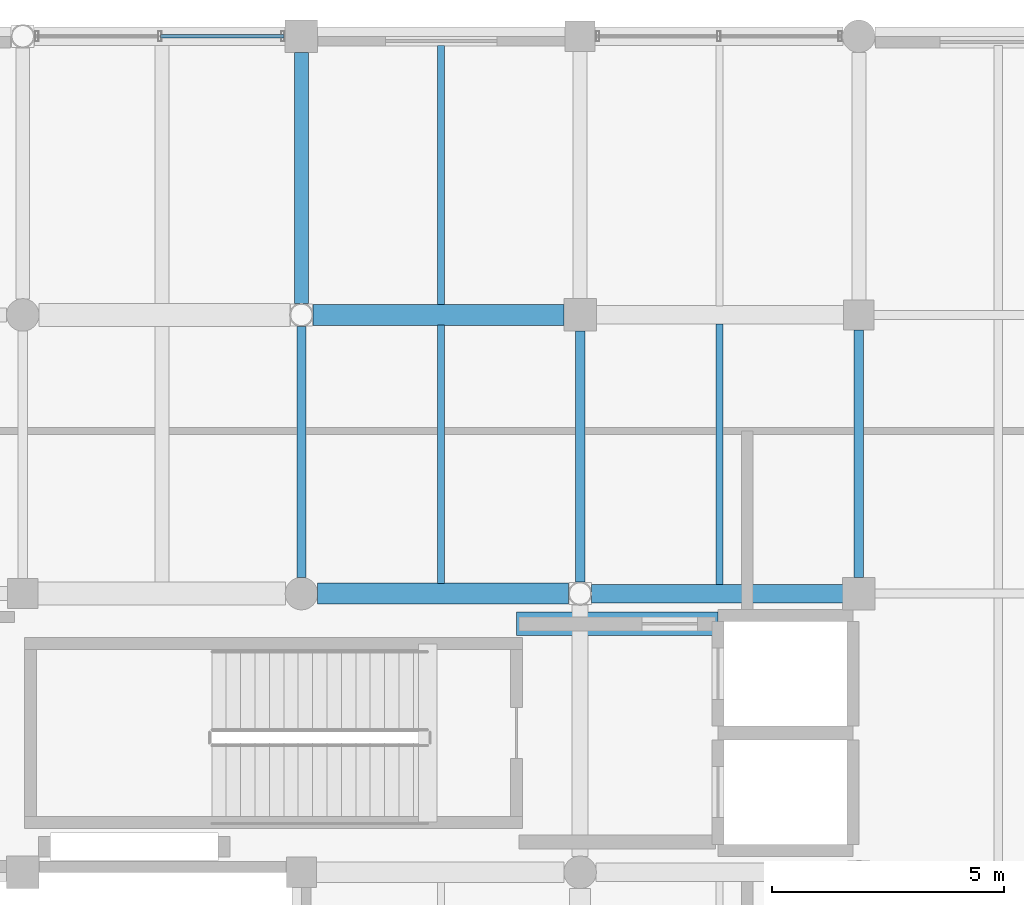
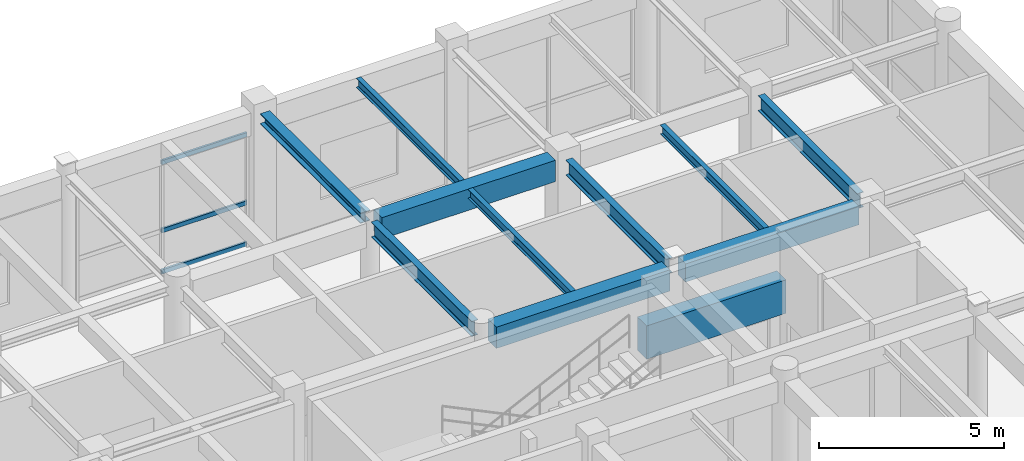
# One storey, part 84 of 123: 11 beams, 3 members, 1 element without a shape of its own.
"""IFC4 building model written with IfcOpenShell, lengths in metres."""

from ifc_helpers import new_model, si_unit, direction, frame, origin, origin_2d, place, context, subcontext, project, spatial, rectangle, hollow_rectangle, i_section, extrude, material, material_profile, profile_set, type_object, element, aggregate, save


model = new_model("IFC4")

# Units and contexts
model_context = context("Model", 3, precision=1e-05, world=origin(), true_north=direction((0.0, 1.0)))
body_context = subcontext(model_context, "Body", "Model", "MODEL_VIEW")
ifc_project = project(units=[si_unit("LENGTHUNIT", "METRE"), si_unit("AREAUNIT", "SQUARE_METRE"), si_unit("VOLUMEUNIT", "CUBIC_METRE"), si_unit("PLANEANGLEUNIT", "RADIAN"), si_unit("MASSUNIT", "GRAM", prefix="KILO"), si_unit("THERMODYNAMICTEMPERATUREUNIT", "KELVIN"), si_unit("POWERUNIT", "WATT")], contexts=[model_context])

# Site, building, storey
site_placement = place(None, origin())
site = spatial("IfcSite", under=ifc_project, at=site_placement, CompositionType="ELEMENT")
building_placement = place(site_placement, origin())
building = spatial("IfcBuilding", under=site, at=building_placement, Name="Phaisarnlok Congress Hotel", CompositionType="ELEMENT")
storey_placement = place(building_placement, frame((0.0, 0.0, 15.0)))
storey = spatial("IfcBuildingStorey", under=building, at=storey_placement, Name="L03", CompositionType="ELEMENT", Elevation=15.0)

# Beams
ifc_material_1 = material(Name="Concrete C40/50", Category="concrete")
ifc_material_profile_1 = material_profile(ifc_material_1, rectangle(XDim=0.39990234375, YDim=0.60009765625, at=origin_2d()), Name="RC 400x600")
ifc_profile_set_1 = profile_set([ifc_material_profile_1], Name="Concrete C40/50")
beam_type_1 = type_object("IfcBeamType", Name="BM-RC-400x600", PredefinedType="BEAM", material=ifc_profile_set_1)
beam_1_placement = place(storey_placement, frame((168.2490234375, 114.0, 4.14990234375), z_axis=(1.0, 0.0, 0.0), x_axis=(0.0, 1.0, 0.0)))
element("IfcBeam", 1, at=beam_1_placement, inside=storey, type_object=beam_type_1, Name="Beam B-02", PredefinedType="BEAM", context=body_context, shape_type="SweptSolid", body=[
    extrude(rectangle(XDim=0.39990234375, YDim=0.60009765625, at=origin_2d()), origin(), (0.0, 0.0, 1.0), 5.406005859375),
])
ifc_material_profile_2 = material_profile(ifc_material_1, rectangle(XDim=0.449951171875, YDim=0.699951171875, at=origin_2d()), Name="RC 450x700")
ifc_profile_set_2 = profile_set([ifc_material_profile_2], Name="Concrete C40/50")
beam_type_2 = type_object("IfcBeamType", Name="BM-RC-450x700", PredefinedType="BEAM", material=ifc_profile_set_2)
for number, where, z_axis, x_axis, name in (
    (2, (162.344970703125, 114.0, 4.10009765625), (1.0, 0.0, 0.0), (0.0, 1.0, 0.0), "Beam B-03"),
    (3, (162.2490234375, 120.0, 4.10009765625), (1.0, 0.0, 0.0), (0.0, 1.0, 0.0), "Beam B-03"),
):
    element("IfcBeam", number, at=place(storey_placement, frame(where, z_axis=z_axis, x_axis=x_axis)), inside=storey, type_object=beam_type_2, Name=name, PredefinedType="BEAM", context=body_context, shape_type="SweptSolid", body=[
        extrude(rectangle(XDim=0.449951171875, YDim=0.699951171875, at=origin_2d()), origin(), (0.0, 0.0, 1.0), 5.406005859375),
    ])
ifc_material_2 = material(Name="Steel S355", Category="steel")
ifc_material_profile_3 = material_profile(ifc_material_2, i_section(OverallWidth=0.300048828125, OverallDepth=0.340087890625, WebThickness=0.011962890625, FlangeThickness=0.021484375, FilletRadius=0.027099609375, at=origin_2d()), Name="HEB 340")
ifc_profile_set_3 = profile_set([ifc_material_profile_3], Name="Steel S355")
beam_type_3 = type_object("IfcBeamType", Name="BM-STL-HEB340", PredefinedType="BEAM", material=ifc_profile_set_3)
beam_2_placement = place(storey_placement, frame((162.0, 120.2490234375, 4.280029296875), z_axis=(0.0, 1.0, 0.0), x_axis=(-1.0, 0.0, 0.0)))
element("IfcBeam", 4, at=beam_2_placement, inside=storey, type_object=beam_type_3, Name="Beam SB-07", PredefinedType="BEAM", context=body_context, shape_type="SweptSolid", body=[
    extrude(i_section(OverallWidth=0.300048828125, OverallDepth=0.340087890625, WebThickness=0.011962890625, FlangeThickness=0.021484375, FilletRadius=0.027099609375, at=origin_2d()), origin(), (0.0, 0.0, 1.0), 5.406005859375),
])
ifc_material_profile_4 = material_profile(ifc_material_2, i_section(OverallWidth=0.199951171875, OverallDepth=0.5, WebThickness=0.01025390625, FlangeThickness=0.01611328125, FilletRadius=0.02099609375, at=origin_2d()), Name="IPE 500")
ifc_profile_set_4 = profile_set([ifc_material_profile_4], Name="Steel S355")
beam_type_4 = type_object("IfcBeamType", Name="BM-STL-IPE500", PredefinedType="BEAM", material=ifc_profile_set_4)
for number, where, z_axis, x_axis, name in (
    (5, (162.0, 114.344970703125, 4.199951171875), (0.0, 1.0, 0.0), (-1.0, 0.0, 0.0), "Beam SB-02"),
    (6, (168.0, 114.2490234375, 4.199951171875), (0.0, 1.0, 0.0), (-1.0, 0.0, 0.0), "Beam SB-02"),
):
    element("IfcBeam", number, at=place(storey_placement, frame(where, z_axis=z_axis, x_axis=x_axis)), inside=storey, type_object=beam_type_4, Name=name, PredefinedType="BEAM", context=body_context, shape_type="SweptSolid", body=[
        extrude(i_section(OverallWidth=0.199951171875, OverallDepth=0.5, WebThickness=0.01025390625, FlangeThickness=0.01611328125, FilletRadius=0.02099609375, at=origin_2d()), origin(), (0.0, 0.0, 1.0), 5.406005859375),
    ])
beam_3_placement = place(storey_placement, frame((174.0, 114.344970703125, 4.199951171875), z_axis=(0.0, 1.0, 0.0), x_axis=(-1.0, 0.0, 0.0)))
element("IfcBeam", 7, at=beam_3_placement, inside=storey, type_object=beam_type_4, Name="Beam SB-02", PredefinedType="BEAM", context=body_context, shape_type="SweptSolid", body=[
    extrude(i_section(OverallWidth=0.199951171875, OverallDepth=0.5, WebThickness=0.01025390625, FlangeThickness=0.01611328125, FilletRadius=0.02099609375, at=origin_2d()), origin(), (0.0, 0.0, 1.0), 5.3349609375),
])

# Curtain wall, members
ifc_material_3 = material(Name="Thermally Broken Unitised Aluminium & Low-E Glazing", Category="aluminium")
curtain_wall_type = type_object("IfcCurtainWallType", Name="CW-UNIT-31", PredefinedType="NOTDEFINED", material=ifc_material_3)
curtain_wall_placement = place(storey_placement, origin())
curtain_wall = element("IfcCurtainWall", 8, at=curtain_wall_placement, inside=storey, type_object=curtain_wall_type, Name="Unitised curtain wall CW-31 (L03)", PredefinedType="NOTDEFINED")
ifc_material_4 = material(Name="Anodised Aluminium Alloy 6063-T6", Category="aluminium")
ifc_material_profile_5 = material_profile(ifc_material_4, hollow_rectangle(XDim=0.06494140625, YDim=0.139892578125, WallThickness=0.00390625, at=origin_2d()), Name="ALU-T 65x140x4")
ifc_profile_set_5 = profile_set([ifc_material_profile_5], Name="Anodised Aluminium Alloy 6063-T6")
member_type = type_object("IfcMemberType", Name="CWT-150", PredefinedType="USERDEFINED", material=ifc_profile_set_5)
member_1_placement = place(storey_placement, frame((161.625, 126.0, 0.050048828125), z_axis=(-1.0, 0.0, 0.0), x_axis=(0.0, -1.0, 0.0)))
member_1 = element("IfcMember", 9, at=member_1_placement, type_object=member_type, Name="Curtain wall transom CWT-01", ObjectType="TRANSOM", PredefinedType="USERDEFINED", context=body_context, shape_type="SweptSolid", body=[
    extrude(hollow_rectangle(XDim=0.06494140625, YDim=0.139892578125, WallThickness=0.00390625, at=origin_2d()), origin(), (0.0, 0.0, 1.0), 2.657958984375),
])
member_2_placement = place(storey_placement, frame((161.625, 126.0, 1.406005859375), z_axis=(-1.0, 0.0, 0.0), x_axis=(0.0, -1.0, 0.0)))
member_2 = element("IfcMember", 10, at=member_2_placement, type_object=member_type, Name="Curtain wall transom CWT-01", ObjectType="TRANSOM", PredefinedType="USERDEFINED", context=body_context, shape_type="SweptSolid", body=[
    extrude(hollow_rectangle(XDim=0.06494140625, YDim=0.139892578125, WallThickness=0.00390625, at=origin_2d()), origin(), (0.0, 0.0, 1.0), 2.657958984375),
])
member_3_placement = place(storey_placement, frame((161.625, 126.0, 3.64990234375), z_axis=(-1.0, 0.0, 0.0), x_axis=(0.0, -1.0, 0.0)))
member_3 = element("IfcMember", 11, at=member_3_placement, type_object=member_type, Name="Curtain wall transom CWT-01", ObjectType="TRANSOM", PredefinedType="USERDEFINED", context=body_context, shape_type="SweptSolid", body=[
    extrude(hollow_rectangle(XDim=0.06494140625, YDim=0.139892578125, WallThickness=0.00390625, at=origin_2d()), origin(), (0.0, 0.0, 1.0), 2.657958984375),
])
aggregate(curtain_wall, [member_1, member_2, member_3])

# Beams
ifc_material_profile_6 = material_profile(ifc_material_2, i_section(OverallWidth=0.14990234375, OverallDepth=0.300048828125, WebThickness=0.007080078125, FlangeThickness=0.0107421875, FilletRadius=0.014892578125, at=origin_2d()), Name="IPE 300")
ifc_profile_set_6 = profile_set([ifc_material_profile_6], Name="Steel S355")
beam_type_5 = type_object("IfcBeamType", Name="JS-STL-IPE300", PredefinedType="JOIST", material=ifc_profile_set_6)
beam_4_placement = place(storey_placement, frame((165.0, 114.219970703125, 4.300048828125), z_axis=(0.0, 1.0, 0.0), x_axis=(-1.0, 0.0, 0.0)))
element("IfcBeam", 12, at=beam_4_placement, inside=storey, type_object=beam_type_5, Name="Secondary floor joist J-03", PredefinedType="JOIST", context=body_context, shape_type="SweptSolid", body=[
    extrude(i_section(OverallWidth=0.14990234375, OverallDepth=0.300048828125, WebThickness=0.007080078125, FlangeThickness=0.0107421875, FilletRadius=0.014892578125, at=origin_2d()), origin(), (0.0, 0.0, 1.0), 5.56005859375),
])
beam_5_placement = place(storey_placement, frame((165.0, 120.219970703125, 4.300048828125), z_axis=(0.0, 1.0, 0.0), x_axis=(-1.0, 0.0, 0.0)))
element("IfcBeam", 13, at=beam_5_placement, inside=storey, type_object=beam_type_5, Name="Secondary floor joist J-03", PredefinedType="JOIST", context=body_context, shape_type="SweptSolid", body=[
    extrude(i_section(OverallWidth=0.14990234375, OverallDepth=0.300048828125, WebThickness=0.007080078125, FlangeThickness=0.0107421875, FilletRadius=0.014892578125, at=origin_2d()), origin(), (0.0, 0.0, 1.0), 5.5849609375),
])
beam_6_placement = place(storey_placement, frame((171.0, 114.195068359375, 4.300048828125), z_axis=(0.0, 1.0, 0.0), x_axis=(-1.0, 0.0, 0.0)))
element("IfcBeam", 14, at=beam_6_placement, inside=storey, type_object=beam_type_5, Name="Secondary floor joist J-03", PredefinedType="JOIST", context=body_context, shape_type="SweptSolid", body=[
    extrude(i_section(OverallWidth=0.14990234375, OverallDepth=0.300048828125, WebThickness=0.007080078125, FlangeThickness=0.0107421875, FilletRadius=0.014892578125, at=origin_2d()), origin(), (0.0, 0.0, 1.0), 5.60986328125),
])
ifc_material_5 = material(Name="Concrete C50/60", Category="concrete")
ifc_material_profile_7 = material_profile(ifc_material_5, rectangle(XDim=0.5, YDim=1.10009765625, at=origin_2d()), Name="RC 500x1100")
ifc_profile_set_7 = profile_set([ifc_material_profile_7], Name="Concrete C50/60")
beam_type_6 = type_object("IfcBeamType", Name="LN-RC-500x1100", PredefinedType="LINTEL", material=ifc_profile_set_7)
beam_7_placement = place(storey_placement, frame((166.6298828125, 113.35009765625, 2.85009765625), z_axis=(1.0, 0.0, 0.0), x_axis=(0.0, 1.0, 0.0)))
element("IfcBeam", 15, at=beam_7_placement, inside=storey, type_object=beam_type_6, Name="Core coupling lintel beam LN-02", PredefinedType="LINTEL", context=body_context, shape_type="SweptSolid", body=[
    extrude(rectangle(XDim=0.5, YDim=1.10009765625, at=origin_2d()), origin(), (0.0, 0.0, 1.0), 4.340087890625),
])

save(model, "model.ifc")
